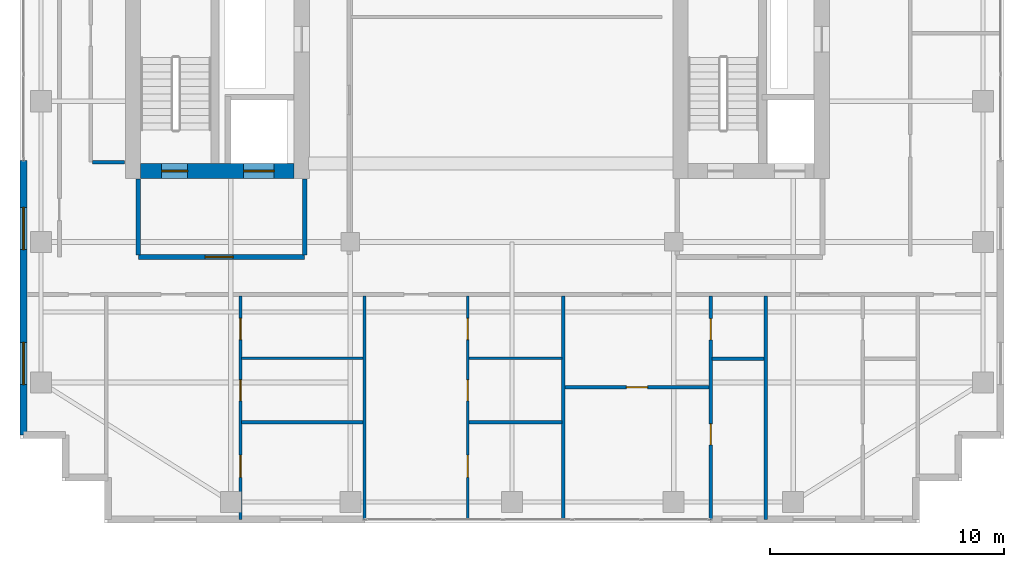
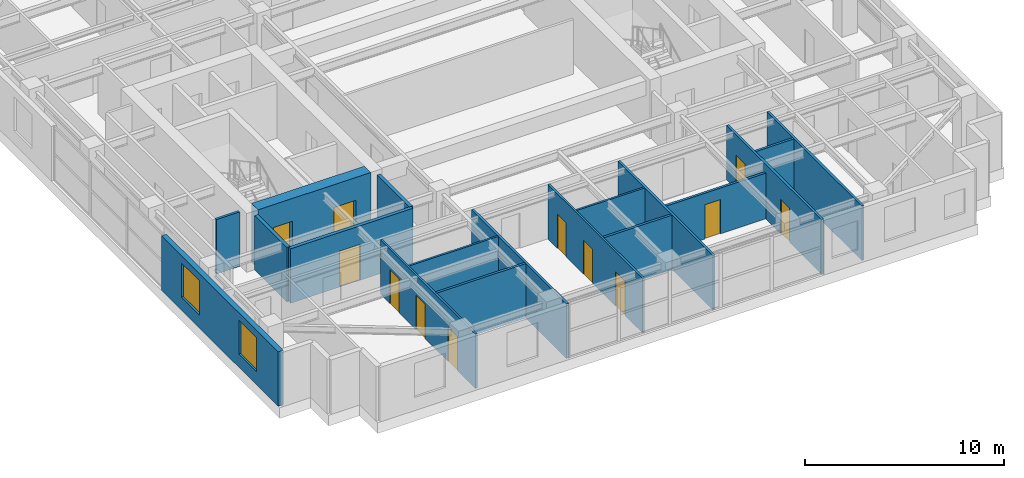
# One storey, part 19 of 24: 18 walls, 12 doors, 2 windows, 14 openings.
"""IFC4 building model written with IfcOpenShell, lengths in metres."""

from ifc_helpers import new_model, si_unit, direction, frame, frame_2d, origin, place, context, subcontext, project, spatial, rectangle, extrude, source, transform, mapped, material, layer, layer_set, type_object, element, fill, save


model = new_model("IFC4")

# Units and contexts
model_context = context("Model", 3, precision=1e-05, world=origin(), true_north=direction((0.0, 1.0)))
body_context = subcontext(model_context, "Body", "Model", "MODEL_VIEW")
ifc_project = project(units=[si_unit("LENGTHUNIT", "METRE"), si_unit("AREAUNIT", "SQUARE_METRE"), si_unit("VOLUMEUNIT", "CUBIC_METRE"), si_unit("PLANEANGLEUNIT", "RADIAN"), si_unit("MASSUNIT", "GRAM", prefix="KILO")], contexts=[model_context])

# Site, building, storey
site_placement = place(None, origin())
site = spatial("IfcSite", under=ifc_project, at=site_placement, CompositionType="ELEMENT")
building_placement = place(site_placement, origin())
building = spatial("IfcBuilding", under=site, at=building_placement, Name="Khoralis Quay Care Tower", CompositionType="ELEMENT")
storey_placement = place(building_placement, frame((0.0, 0.0, 155.699951171875)))
storey = spatial("IfcBuildingStorey", under=building, at=storey_placement, Name="L40", CompositionType="ELEMENT", Elevation=155.699951171875)

# Wall, opening, door
ifc_material_1 = material(Name="Gypsum plasterboard on acoustic metal stud")
ifc_layer_1 = layer(ifc_material_1, 0.199951171875)
ifc_layer_set_1 = layer_set([ifc_layer_1], Name="Gypsum plasterboard on acoustic metal stud")
wall_type_1 = type_object("IfcWallType", Name="WL-COMP-200", PredefinedType="PARTITIONING", material=ifc_layer_set_1)
wall_1_placement = place(storey_placement, frame((8.050048828125, 11.35009765625, 0.0), z_axis=(0.0, 0.0, 1.0), x_axis=(1.0, 0.0, 0.0)))
wall_1 = element("IfcWall", 1, at=wall_1_placement, inside=storey, type_object=wall_type_1, Name="L40 West Firefighting Lobby South Wall", PredefinedType="PARTITIONING", context=body_context, shape_type="SweptSolid", body=[
    extrude(rectangle(XDim=7.099853515625, YDim=0.199951171875, at=frame_2d((3.5498046875, 0.0))), origin(), (0.0, 0.0, 1.0), 3.340087890625),
])
opening_1_placement = place(wall_1_placement, frame((2.846435546875, 0.0, 0.0)))
opening_1 = element("IfcOpeningElement", 2, at=opening_1_placement, cuts=wall_1, Name="Opening FD1", PredefinedType="OPENING", context=body_context, shape_type="SweptSolid", body=[
    extrude(rectangle(XDim=1.199951171875, YDim=2.199951171875, at=frame_2d((0.60009765625, 1.10009765625))), frame((0.0, 0.10986328125, 0.0), z_axis=(0.0, -1.0, 0.0), x_axis=(1.0, 0.0, 0.0)), (0.0, 0.0, 1.0), 0.219970703125),
])
ifc_material_2 = material(Name="Fire-rated painted steel", Category="steel")
door_type_1 = type_object("IfcDoorType", Name="DR-FFL-1200X2200", OperationType="NOTDEFINED", PredefinedType="DOOR", material=ifc_material_2)
shared_shape_1 = source(origin(), body_context, "Body", "SweptSolid", [
    extrude(rectangle(XDim=1.199951171875, YDim=2.199951171875, at=frame_2d((0.60009765625, 1.10009765625))), frame((0.0, 0.02490234375, 0.0), z_axis=(0.0, -1.0, 0.0), x_axis=(1.0, 0.0, 0.0)), (0.0, 0.0, 1.0), 0.050048828125),
])
door_1_placement = place(opening_1_placement, origin())
door_1 = element("IfcDoor", 3, at=door_1_placement, inside=storey, type_object=door_type_1, Name="L40 West Firefighting Lobby Fire Door", OperationType="SINGLE_SWING_RIGHT", OverallHeight=2.199951171875, OverallWidth=1.199951171875, PredefinedType="DOOR", context=body_context, shape_type="MappedRepresentation", body=[
    mapped(shared_shape_1, transform((0.0, 0.0, 0.0), scale=1.0)),
])
fill(opening_1, door_1)

# Walls
for number, where, z_axis, x_axis, name in (
    (4, (8.050048828125, 11.445068359375, 0.0), (0.0, 0.0, 1.0), (0.0, 1.0, 0.0), "L40 West Firefighting Lobby West Wall"),
    (5, (15.14990234375, 11.445068359375, 0.0), (0.0, 0.0, 1.0), (0.0, 1.0, 0.0), "L40 West Firefighting Lobby East Wall"),
):
    element("IfcWall", number, at=place(storey_placement, frame(where, z_axis=z_axis, x_axis=x_axis)), inside=storey, type_object=wall_type_1, Name=name, PredefinedType="PARTITIONING", context=body_context, shape_type="SweptSolid", body=[
        extrude(rectangle(XDim=3.23486328125, YDim=0.199951171875, at=frame_2d((1.617431640625, 0.0))), origin(), (0.0, 0.0, 1.0), 3.340087890625),
    ])

# Wall, openings, doors
ifc_material_3 = material(Name="Concrete C65/80", Category="concrete")
ifc_layer_2 = layer(ifc_material_3, 0.64990234375)
ifc_layer_set_2 = layer_set([ifc_layer_2], Name="Concrete C65/80")
wall_type_2 = type_object("IfcWallType", Name="WL-CORE-650", PredefinedType="SHEAR", material=ifc_layer_set_2)
wall_2_placement = place(storey_placement, frame((8.14990234375, 15.02490234375, 0.0), z_axis=(0.0, 0.0, 1.0), x_axis=(1.0, 0.0, 0.0)))
wall_2 = element("IfcWall", 6, at=wall_2_placement, inside=storey, type_object=wall_type_2, Name="L40 WCORE South Shear Wall", PredefinedType="SHEAR", context=body_context, shape_type="SweptSolid", body=[
    extrude(rectangle(XDim=6.550048828125, YDim=0.64990234375, at=frame_2d((3.27490234375, 0.0))), origin(), (0.0, 0.0, 1.0), 3.60009765625),
])
opening_2_placement = place(wall_2_placement, frame((0.89990234375, 0.0, 0.0)))
opening_2 = element("IfcOpeningElement", 7, at=opening_2_placement, cuts=wall_2, Name="Opening SD1", PredefinedType="OPENING", context=body_context, shape_type="SweptSolid", body=[
    extrude(rectangle(XDim=1.10009765625, YDim=2.199951171875, at=frame_2d((0.550048828125, 1.10009765625))), frame((0.0, 0.3349609375, 0.0), z_axis=(0.0, -1.0, 0.0), x_axis=(1.0, 0.0, 0.0)), (0.0, 0.0, 1.0), 0.669921875),
])
opening_3_placement = place(wall_2_placement, frame((4.39990234375, 0.0, 0.0)))
opening_3 = element("IfcOpeningElement", 8, at=opening_3_placement, cuts=wall_2, Name="Opening LD2", PredefinedType="OPENING", context=body_context, shape_type="SweptSolid", body=[
    extrude(rectangle(XDim=1.300048828125, YDim=2.199951171875, at=frame_2d((0.64990234375, 1.10009765625))), frame((0.0, 0.3349609375, 0.0), z_axis=(0.0, -1.0, 0.0), x_axis=(1.0, 0.0, 0.0)), (0.0, 0.0, 1.0), 0.669921875),
])
door_type_2 = type_object("IfcDoorType", Name="DR-STAIR-1100X2200", OperationType="NOTDEFINED", PredefinedType="DOOR", material=ifc_material_2)
shared_shape_2 = source(origin(), body_context, "Body", "SweptSolid", [
    extrude(rectangle(XDim=1.10009765625, YDim=2.199951171875, at=frame_2d((0.550048828125, 1.10009765625))), frame((0.0, 0.02490234375, 0.0), z_axis=(0.0, -1.0, 0.0), x_axis=(1.0, 0.0, 0.0)), (0.0, 0.0, 1.0), 0.050048828125),
])
door_2_placement = place(opening_2_placement, origin())
door_2 = element("IfcDoor", 9, at=door_2_placement, inside=storey, type_object=door_type_2, Name="L40 Stair ST-T1 Fire Door", OperationType="SINGLE_SWING_RIGHT", OverallHeight=2.199951171875, OverallWidth=1.10009765625, PredefinedType="DOOR", context=body_context, shape_type="MappedRepresentation", body=[
    mapped(shared_shape_2, transform((0.0, 0.0, 0.0), scale=1.0)),
])
fill(opening_2, door_2)
ifc_material_4 = material(Name="Brushed stainless steel", Category="steel")
door_type_3 = type_object("IfcDoorType", Name="DR-LIFT-1300X2200", OperationType="SLIDING_TO_RIGHT", PredefinedType="DOOR", material=ifc_material_4)
shared_shape_3 = source(origin(), body_context, "Body", "SweptSolid", [
    extrude(rectangle(XDim=1.300048828125, YDim=2.199951171875, at=frame_2d((0.64990234375, 1.10009765625))), frame((0.0, 0.02490234375, 0.0), z_axis=(0.0, -1.0, 0.0), x_axis=(1.0, 0.0, 0.0)), (0.0, 0.0, 1.0), 0.050048828125),
])
door_3_placement = place(opening_3_placement, origin())
door_3 = element("IfcDoor", 10, at=door_3_placement, inside=storey, type_object=door_type_3, Name="L40 Firefighting Lift FFL-1 Landing Door", OperationType="SLIDING_TO_RIGHT", OverallHeight=2.199951171875, OverallWidth=1.300048828125, PredefinedType="DOOR", context=body_context, shape_type="MappedRepresentation", body=[
    mapped(shared_shape_3, transform((0.0, 0.0, 0.0), scale=1.0)),
])
fill(opening_3, door_3)

# Wall, openings, windows
ifc_material_5 = material(Name="Precast concrete C45/55", Category="concrete")
ifc_layer_3 = layer(ifc_material_5, 0.300048828125)
ifc_layer_set_3 = layer_set([ifc_layer_3], Name="Precast concrete C45/55")
wall_type_3 = type_object("IfcWallType", Name="WL-EXT-REF-300", PredefinedType="SOLIDWALL", material=ifc_layer_set_3)
wall_3_placement = place(storey_placement, frame((3.14990234375, 15.47998046875, 0.0), z_axis=(0.0, 0.0, 1.0), x_axis=(0.0, -1.0, 0.0)))
wall_3 = element("IfcWall", 11, at=wall_3_placement, inside=storey, type_object=wall_type_3, Name="L40 External Facade Wall WL-EXT-L40-P1-E15B", PredefinedType="SOLIDWALL", context=body_context, shape_type="SweptSolid", body=[
    extrude(rectangle(XDim=11.72998046875, YDim=0.300048828125, at=frame_2d((5.864990234375, 0.0))), origin(), (0.0, 0.0, 1.0), 3.340087890625),
])
opening_4_placement = place(wall_3_placement, frame((2.010009765625, 0.0, 0.800048828125)))
opening_4 = element("IfcOpeningElement", 12, at=opening_4_placement, cuts=wall_3, Name="Opening W2", PredefinedType="OPENING", context=body_context, shape_type="SweptSolid", body=[
    extrude(rectangle(XDim=1.800048828125, YDim=2.10009765625, at=frame_2d((0.89990234375, 1.050048828125))), frame((0.0, 0.16015625, 0.0), z_axis=(0.0, -1.0, 0.0), x_axis=(1.0, 0.0, 0.0)), (0.0, 0.0, 1.0), 0.320068359375),
])
opening_5_placement = place(wall_3_placement, frame((7.77490234375, 0.0, 0.800048828125)))
opening_5 = element("IfcOpeningElement", 13, at=opening_5_placement, cuts=wall_3, Name="Opening W2", PredefinedType="OPENING", context=body_context, shape_type="SweptSolid", body=[
    extrude(rectangle(XDim=1.800048828125, YDim=2.10009765625, at=frame_2d((0.89990234375, 1.050048828125))), frame((0.0, 0.16015625, 0.0), z_axis=(0.0, -1.0, 0.0), x_axis=(1.0, 0.0, 0.0)), (0.0, 0.0, 1.0), 0.320068359375),
])
ifc_material_6 = material(Name="Low-E solar-control double glazing", Category="glass")
window_type = type_object("IfcWindowType", Name="WN-POD-1800X2100", PartitioningType="SINGLE_PANEL", PredefinedType="WINDOW", material=ifc_material_6)
shared_shape_4 = source(origin(), body_context, "Body", "SweptSolid", [
    extrude(rectangle(XDim=1.800048828125, YDim=2.10009765625, at=frame_2d((0.89990234375, 1.050048828125))), frame((0.0, 0.030029296875, 0.0), z_axis=(0.0, -1.0, 0.0), x_axis=(1.0, 0.0, 0.0)), (0.0, 0.0, 1.0), 0.06005859375),
])
window_1_placement = place(opening_4_placement, origin())
window_1 = element("IfcWindow", 14, at=window_1_placement, inside=storey, type_object=window_type, Name="WN-L40-P1-E15B Facade Window 01", OverallHeight=2.10009765625, OverallWidth=1.800048828125, PartitioningType="SINGLE_PANEL", PredefinedType="WINDOW", context=body_context, shape_type="MappedRepresentation", body=[
    mapped(shared_shape_4, transform((0.0, 0.0, 0.0), scale=1.0)),
])
fill(opening_4, window_1)
window_2_placement = place(opening_5_placement, origin())
window_2 = element("IfcWindow", 15, at=window_2_placement, inside=storey, type_object=window_type, Name="WN-L40-P1-E15B Facade Window 02", OverallHeight=2.10009765625, OverallWidth=1.800048828125, PartitioningType="SINGLE_PANEL", PredefinedType="WINDOW", context=body_context, shape_type="MappedRepresentation", body=[
    mapped(shared_shape_4, transform((0.0, 0.0, 0.0), scale=1.0)),
])
fill(opening_5, window_2)

# Wall, openings, doors
ifc_layer_4 = layer(ifc_material_1, 0.114990234375)
ifc_layer_set_4 = layer_set([ifc_layer_4], Name="Gypsum plasterboard on acoustic metal stud")
wall_type_4 = type_object("IfcWallType", Name="WL-PART-115", PredefinedType="PARTITIONING", material=ifc_layer_set_4)
wall_4_placement = place(storey_placement, frame((12.409912109375, 0.14501953125, 0.0), z_axis=(0.0, 0.0, 1.0), x_axis=(0.0, 1.0, 0.0)))
wall_4 = element("IfcWall", 16, at=wall_4_placement, inside=storey, type_object=wall_type_4, Name="L40 Unit 0 Internal Wall", PredefinedType="PARTITIONING", context=body_context, shape_type="SweptSolid", body=[
    extrude(rectangle(XDim=9.53759765625, YDim=0.114990234375, at=frame_2d((4.768798828125, 0.0))), origin(), (0.0, 0.0, 1.0), 3.340087890625),
])
opening_6_placement = place(wall_4_placement, frame((1.802001953125, 0.0, 0.0)))
opening_6 = element("IfcOpeningElement", 17, at=opening_6_placement, cuts=wall_4, Name="Opening ID1", PredefinedType="OPENING", context=body_context, shape_type="SweptSolid", body=[
    extrude(rectangle(XDim=0.949951171875, YDim=2.10009765625, at=frame_2d((0.47509765625, 1.050048828125))), frame((0.0, 0.0673828125, 0.0), z_axis=(0.0, -1.0, 0.0), x_axis=(1.0, 0.0, 0.0)), (0.0, 0.0, 1.0), 0.135009765625),
])
opening_7_placement = place(wall_4_placement, frame((5.0654296875, 0.0, 0.0)))
opening_7 = element("IfcOpeningElement", 18, at=opening_7_placement, cuts=wall_4, Name="Opening WD1", PredefinedType="OPENING", context=body_context, shape_type="SweptSolid", body=[
    extrude(rectangle(XDim=0.89990234375, YDim=2.10009765625, at=frame_2d((0.449951171875, 1.050048828125))), frame((0.0, 0.0673828125, 0.0), z_axis=(0.0, -1.0, 0.0), x_axis=(1.0, 0.0, 0.0)), (0.0, 0.0, 1.0), 0.135009765625),
])
opening_8_placement = place(wall_4_placement, frame((7.68359375, 0.0, 0.0)))
opening_8 = element("IfcOpeningElement", 19, at=opening_8_placement, cuts=wall_4, Name="Opening WD1", PredefinedType="OPENING", context=body_context, shape_type="SweptSolid", body=[
    extrude(rectangle(XDim=0.89990234375, YDim=2.10009765625, at=frame_2d((0.449951171875, 1.050048828125))), frame((0.0, 0.0673828125, 0.0), z_axis=(0.0, -1.0, 0.0), x_axis=(1.0, 0.0, 0.0)), (0.0, 0.0, 1.0), 0.135009765625),
])
ifc_material_7 = material(Name="Acoustic hardwood timber", Category="wood")
door_type_4 = type_object("IfcDoorType", Name="DR-BATH-900X2100", OperationType="NOTDEFINED", PredefinedType="DOOR", material=ifc_material_7)
shared_shape_5 = source(origin(), body_context, "Body", "SweptSolid", [
    extrude(rectangle(XDim=0.89990234375, YDim=2.10009765625, at=frame_2d((0.449951171875, 1.050048828125))), frame((0.0, 0.02490234375, 0.0), z_axis=(0.0, -1.0, 0.0), x_axis=(1.0, 0.0, 0.0)), (0.0, 0.0, 1.0), 0.050048828125),
])
door_4_placement = place(opening_7_placement, frame((0.89990234375, 0.0, 0.0), z_axis=(0.0, 0.0, 1.0), x_axis=(-1.0, 0.0, 0.0)))
door_4 = element("IfcDoor", 20, at=door_4_placement, inside=storey, type_object=door_type_4, Name="L40 Apartment SB0 KIT Door", OperationType="SINGLE_SWING_RIGHT", OverallHeight=2.10009765625, OverallWidth=0.89990234375, PredefinedType="DOOR", context=body_context, shape_type="MappedRepresentation", body=[
    mapped(shared_shape_5, transform((0.0, 0.0, 0.0), scale=1.0)),
])
fill(opening_7, door_4)
door_5_placement = place(opening_8_placement, frame((0.89990234375, 0.0, 0.0), z_axis=(0.0, 0.0, 1.0), x_axis=(-1.0, 0.0, 0.0)))
door_5 = element("IfcDoor", 21, at=door_5_placement, inside=storey, type_object=door_type_4, Name="L40 Apartment SB0 BTH Door", OperationType="SINGLE_SWING_LEFT", OverallHeight=2.10009765625, OverallWidth=0.89990234375, PredefinedType="DOOR", context=body_context, shape_type="MappedRepresentation", body=[
    mapped(shared_shape_5, transform((0.0, 0.0, 0.0), scale=1.0)),
])
fill(opening_8, door_5)
door_type_5 = type_object("IfcDoorType", Name="DR-ROOM-950X2100", OperationType="NOTDEFINED", PredefinedType="DOOR", material=ifc_material_7)
shared_shape_6 = source(origin(), body_context, "Body", "SweptSolid", [
    extrude(rectangle(XDim=0.949951171875, YDim=2.10009765625, at=frame_2d((0.47509765625, 1.050048828125))), frame((0.0, 0.02490234375, 0.0), z_axis=(0.0, -1.0, 0.0), x_axis=(1.0, 0.0, 0.0)), (0.0, 0.0, 1.0), 0.050048828125),
])
door_6_placement = place(opening_6_placement, frame((0.949951171875, 0.0, 0.0), z_axis=(0.0, 0.0, 1.0), x_axis=(-1.0, 0.0, 0.0)))
door_6 = element("IfcDoor", 22, at=door_6_placement, inside=storey, type_object=door_type_5, Name="L40 Apartment SB0 BED Door", OperationType="SINGLE_SWING_LEFT", OverallHeight=2.10009765625, OverallWidth=0.949951171875, PredefinedType="DOOR", context=body_context, shape_type="MappedRepresentation", body=[
    mapped(shared_shape_6, transform((0.0, 0.0, 0.0), scale=1.0)),
])
fill(opening_6, door_6)

# Wall
wall_5_placement = place(storey_placement, frame((12.46240234375, 7.027099609375, 0.0), z_axis=(0.0, 0.0, 1.0), x_axis=(1.0, 0.0, 0.0)))
element("IfcWall", 23, at=wall_5_placement, inside=storey, type_object=wall_type_4, Name="L40 Unit 0 Kitchen Wall", PredefinedType="PARTITIONING", context=body_context, shape_type="SweptSolid", body=[
    extrude(rectangle(XDim=5.172607421875, YDim=0.114990234375, at=frame_2d((2.58642578125, 0.0))), origin(), (0.0, 0.0, 1.0), 3.340087890625),
])

# Wall, openings, doors
wall_6_placement = place(storey_placement, frame((22.114990234375, 0.14501953125, 0.0), z_axis=(0.0, 0.0, 1.0), x_axis=(0.0, 1.0, 0.0)))
wall_6 = element("IfcWall", 24, at=wall_6_placement, inside=storey, type_object=wall_type_4, Name="L40 Unit 1 Internal Wall", PredefinedType="PARTITIONING", context=body_context, shape_type="SweptSolid", body=[
    extrude(rectangle(XDim=9.53759765625, YDim=0.114990234375, at=frame_2d((4.768798828125, 0.0))), origin(), (0.0, 0.0, 1.0), 3.340087890625),
])
opening_9_placement = place(wall_6_placement, frame((1.802001953125, 0.0, 0.0)))
opening_9 = element("IfcOpeningElement", 25, at=opening_9_placement, cuts=wall_6, Name="Opening ID1", PredefinedType="OPENING", context=body_context, shape_type="SweptSolid", body=[
    extrude(rectangle(XDim=0.949951171875, YDim=2.10009765625, at=frame_2d((0.47509765625, 1.050048828125))), frame((0.0, 0.0673828125, 0.0), z_axis=(0.0, -1.0, 0.0), x_axis=(1.0, 0.0, 0.0)), (0.0, 0.0, 1.0), 0.135009765625),
])
opening_10_placement = place(wall_6_placement, frame((5.0654296875, 0.0, 0.0)))
opening_10 = element("IfcOpeningElement", 26, at=opening_10_placement, cuts=wall_6, Name="Opening WD1", PredefinedType="OPENING", context=body_context, shape_type="SweptSolid", body=[
    extrude(rectangle(XDim=0.89990234375, YDim=2.10009765625, at=frame_2d((0.449951171875, 1.050048828125))), frame((0.0, 0.0673828125, 0.0), z_axis=(0.0, -1.0, 0.0), x_axis=(1.0, 0.0, 0.0)), (0.0, 0.0, 1.0), 0.135009765625),
])
opening_11_placement = place(wall_6_placement, frame((7.68359375, 0.0, 0.0)))
opening_11 = element("IfcOpeningElement", 27, at=opening_11_placement, cuts=wall_6, Name="Opening WD1", PredefinedType="OPENING", context=body_context, shape_type="SweptSolid", body=[
    extrude(rectangle(XDim=0.89990234375, YDim=2.10009765625, at=frame_2d((0.449951171875, 1.050048828125))), frame((0.0, 0.0673828125, 0.0), z_axis=(0.0, -1.0, 0.0), x_axis=(1.0, 0.0, 0.0)), (0.0, 0.0, 1.0), 0.135009765625),
])
door_7_placement = place(opening_10_placement, frame((0.89990234375, 0.0, 0.0), z_axis=(0.0, 0.0, 1.0), x_axis=(-1.0, 0.0, 0.0)))
door_7 = element("IfcDoor", 28, at=door_7_placement, inside=storey, type_object=door_type_4, Name="L40 Apartment SB1 KIT Door", OperationType="SINGLE_SWING_LEFT", OverallHeight=2.10009765625, OverallWidth=0.89990234375, PredefinedType="DOOR", context=body_context, shape_type="MappedRepresentation", body=[
    mapped(shared_shape_5, transform((0.0, 0.0, 0.0), scale=1.0)),
])
fill(opening_10, door_7)
door_8_placement = place(opening_11_placement, frame((0.89990234375, 0.0, 0.0), z_axis=(0.0, 0.0, 1.0), x_axis=(-1.0, 0.0, 0.0)))
door_8 = element("IfcDoor", 29, at=door_8_placement, inside=storey, type_object=door_type_4, Name="L40 Apartment SB1 BTH Door", OperationType="SINGLE_SWING_RIGHT", OverallHeight=2.10009765625, OverallWidth=0.89990234375, PredefinedType="DOOR", context=body_context, shape_type="MappedRepresentation", body=[
    mapped(shared_shape_5, transform((0.0, 0.0, 0.0), scale=1.0)),
])
fill(opening_11, door_8)
door_9_placement = place(opening_9_placement, frame((0.949951171875, 0.0, 0.0), z_axis=(0.0, 0.0, 1.0), x_axis=(-1.0, 0.0, 0.0)))
door_9 = element("IfcDoor", 30, at=door_9_placement, inside=storey, type_object=door_type_5, Name="L40 Apartment SB1 BED Door", OperationType="SINGLE_SWING_RIGHT", OverallHeight=2.10009765625, OverallWidth=0.949951171875, PredefinedType="DOOR", context=body_context, shape_type="MappedRepresentation", body=[
    mapped(shared_shape_6, transform((0.0, 0.0, 0.0), scale=1.0)),
])
fill(opening_9, door_9)

# Walls
wall_7_placement = place(storey_placement, frame((22.16748046875, 7.027099609375, 0.0), z_axis=(0.0, 0.0, 1.0), x_axis=(1.0, 0.0, 0.0)))
element("IfcWall", 31, at=wall_7_placement, inside=storey, type_object=wall_type_4, Name="L40 Unit 1 Kitchen Wall", PredefinedType="PARTITIONING", context=body_context, shape_type="SweptSolid", body=[
    extrude(rectangle(XDim=3.95751953125, YDim=0.114990234375, at=frame_2d((1.978759765625, 0.0))), origin(), (0.0, 0.0, 1.0), 3.340087890625),
])
ifc_material_8 = material(Name="Moisture-resistant gypsum and ceramic tile")
ifc_layer_5 = layer(ifc_material_8, 0.280029296875)
ifc_layer_set_5 = layer_set([ifc_layer_5], Name="Moisture-resistant gypsum and ceramic tile")
wall_type_5 = type_object("IfcWallType", Name="WL-PLUMB-280", PredefinedType="PLUMBINGWALL", material=ifc_layer_set_5)
wall_8_placement = place(storey_placement, frame((12.46240234375, 4.2939453125, 0.0), z_axis=(0.0, 0.0, 1.0), x_axis=(1.0, 0.0, 0.0)))
element("IfcWall", 32, at=wall_8_placement, inside=storey, type_object=wall_type_5, Name="L40 Unit 0 Wet Wall", PredefinedType="PLUMBINGWALL", context=body_context, shape_type="SweptSolid", body=[
    extrude(rectangle(XDim=5.172607421875, YDim=0.139892578125, at=frame_2d((2.58642578125, 0.0))), origin(), (0.0, 0.0, 1.0), 3.340087890625),
])
wall_9_placement = place(storey_placement, frame((22.16748046875, 4.2939453125, 0.0), z_axis=(0.0, 0.0, 1.0), x_axis=(1.0, 0.0, 0.0)))
element("IfcWall", 33, at=wall_9_placement, inside=storey, type_object=wall_type_5, Name="L40 Unit 1 Wet Wall", PredefinedType="PLUMBINGWALL", context=body_context, shape_type="SweptSolid", body=[
    extrude(rectangle(XDim=3.95751953125, YDim=0.139892578125, at=frame_2d((1.978759765625, 0.0))), origin(), (0.0, 0.0, 1.0), 3.340087890625),
])

# Wall, openings, doors
wall_10_placement = place(storey_placement, frame((32.47998046875, 0.14501953125, 0.0), z_axis=(0.0, 0.0, 1.0), x_axis=(0.0, 1.0, 0.0)))
wall_10 = element("IfcWall", 34, at=wall_10_placement, inside=storey, type_object=wall_type_5, Name="L40 Care Suite 2 En-Suite Wall V", PredefinedType="PLUMBINGWALL", context=body_context, shape_type="SweptSolid", body=[
    extrude(rectangle(XDim=9.53759765625, YDim=0.139892578125, at=frame_2d((4.768798828125, 0.0))), origin(), (0.0, 0.0, 1.0), 3.340087890625),
])
opening_12_placement = place(wall_10_placement, frame((7.675048828125, 0.0, 0.0)))
opening_12 = element("IfcOpeningElement", 35, at=opening_12_placement, cuts=wall_10, Name="Opening WD1", PredefinedType="OPENING", context=body_context, shape_type="SweptSolid", body=[
    extrude(rectangle(XDim=0.89990234375, YDim=2.10009765625, at=frame_2d((0.449951171875, 1.050048828125))), frame((0.0, 0.080078125, 0.0), z_axis=(0.0, -1.0, 0.0), x_axis=(1.0, 0.0, 0.0)), (0.0, 0.0, 1.0), 0.159912109375),
])
opening_13_placement = place(wall_10_placement, frame((3.18505859375, 0.0, 0.0)))
opening_13 = element("IfcOpeningElement", 36, at=opening_13_placement, cuts=wall_10, Name="Opening WD1", PredefinedType="OPENING", context=body_context, shape_type="SweptSolid", body=[
    extrude(rectangle(XDim=0.89990234375, YDim=2.10009765625, at=frame_2d((0.449951171875, 1.050048828125))), frame((0.0, 0.080078125, 0.0), z_axis=(0.0, -1.0, 0.0), x_axis=(1.0, 0.0, 0.0)), (0.0, 0.0, 1.0), 0.159912109375),
])
door_10_placement = place(opening_12_placement, frame((0.89990234375, 0.0, 0.0), z_axis=(0.0, 0.0, 1.0), x_axis=(-1.0, 0.0, 0.0)))
door_10 = element("IfcDoor", 37, at=door_10_placement, inside=storey, type_object=door_type_4, Name="L40 Care CENS Door", OperationType="SINGLE_SWING_LEFT", OverallHeight=2.10009765625, OverallWidth=0.89990234375, PredefinedType="DOOR", context=body_context, shape_type="MappedRepresentation", body=[
    mapped(shared_shape_5, transform((0.0, 0.0, 0.0), scale=1.0)),
])
fill(opening_12, door_10)
door_11_placement = place(opening_13_placement, frame((0.89990234375, 0.0, 0.0), z_axis=(0.0, 0.0, 1.0), x_axis=(-1.0, 0.0, 0.0)))
door_11 = element("IfcDoor", 38, at=door_11_placement, inside=storey, type_object=door_type_4, Name="L40 Care CSIT Door", OperationType="SINGLE_SWING_RIGHT", OverallHeight=2.10009765625, OverallWidth=0.89990234375, PredefinedType="DOOR", context=body_context, shape_type="MappedRepresentation", body=[
    mapped(shared_shape_5, transform((0.0, 0.0, 0.0), scale=1.0)),
])
fill(opening_13, door_11)

# Walls
wall_11_placement = place(storey_placement, frame((32.544921875, 7.010009765625, 0.0), z_axis=(0.0, 0.0, 1.0), x_axis=(1.0, 0.0, 0.0)))
element("IfcWall", 39, at=wall_11_placement, inside=storey, type_object=wall_type_5, Name="L40 Care Suite 2 En-Suite Wall H", PredefinedType="PLUMBINGWALL", context=body_context, shape_type="SweptSolid", body=[
    extrude(rectangle(XDim=2.219970703125, YDim=0.139892578125, at=frame_2d((1.10986328125, 0.0))), origin(), (0.0, 0.0, 1.0), 3.340087890625),
])
ifc_layer_6 = layer(ifc_material_1, 0.139892578125)
ifc_layer_set_6 = layer_set([ifc_layer_6], Name="Gypsum plasterboard on acoustic metal stud")
wall_type_6 = type_object("IfcWallType", Name="WL-UNIT-140", PredefinedType="PARTITIONING", material=ifc_layer_set_6)
wall_12_placement = place(storey_placement, frame((6.097412109375, 15.39990234375, 0.0), z_axis=(0.0, 0.0, 1.0), x_axis=(1.0, 0.0, 0.0)))
element("IfcWall", 40, at=wall_12_placement, inside=storey, type_object=wall_type_6, Name="L40 West Flank South Cap", PredefinedType="PARTITIONING", context=body_context, shape_type="SweptSolid", body=[
    extrude(rectangle(XDim=1.362548828125, YDim=0.139892578125, at=frame_2d((0.68115234375, 0.0))), origin(), (0.0, 0.0, 1.0), 3.340087890625),
])
for number, where, z_axis, x_axis, name in (
    (41, (17.699951171875, 0.14501953125, 0.0), (0.0, 0.0, 1.0), (0.0, 1.0, 0.0), "L40 SB Demising Wall 1"),
    (42, (26.18994140625, 0.14501953125, 0.0), (0.0, 0.0, 1.0), (0.0, 1.0, 0.0), "L40 SB Demising Wall 2"),
    (43, (34.830078125, 0.14501953125, 0.0), (0.0, 0.0, 1.0), (0.0, 1.0, 0.0), "L40 SB Demising Wall 3"),
):
    element("IfcWall", number, at=place(storey_placement, frame(where, z_axis=z_axis, x_axis=x_axis)), inside=storey, type_object=wall_type_6, Name=name, PredefinedType="PARTITIONING", context=body_context, shape_type="SweptSolid", body=[
        extrude(rectangle(XDim=9.53759765625, YDim=0.139892578125, at=frame_2d((4.768798828125, 0.0))), origin(), (0.0, 0.0, 1.0), 3.340087890625),
    ])

# Wall, opening, door
wall_13_placement = place(storey_placement, frame((26.2548828125, 5.7900390625, 0.0), z_axis=(0.0, 0.0, 1.0), x_axis=(1.0, 0.0, 0.0)))
wall_13 = element("IfcWall", 44, at=wall_13_placement, inside=storey, type_object=wall_type_6, Name="Skilled Care Bedroom L40-SB2 Sub-Partition", PredefinedType="PARTITIONING", context=body_context, shape_type="SweptSolid", body=[
    extrude(rectangle(XDim=6.16015625, YDim=0.139892578125, at=frame_2d((3.080078125, 0.0))), origin(), (0.0, 0.0, 1.0), 2.80712890625),
])
opening_14_placement = place(wall_13_placement, frame((2.6298828125, 0.0, 0.0)))
opening_14 = element("IfcOpeningElement", 45, at=opening_14_placement, cuts=wall_13, Name="Opening WD1", PredefinedType="OPENING", context=body_context, shape_type="SweptSolid", body=[
    extrude(rectangle(XDim=0.89990234375, YDim=2.10009765625, at=frame_2d((0.449951171875, 1.050048828125))), frame((0.0, 0.080078125, 0.0), z_axis=(0.0, -1.0, 0.0), x_axis=(1.0, 0.0, 0.0)), (0.0, 0.0, 1.0), 0.159912109375),
])
door_12_placement = place(opening_14_placement, origin())
door_12 = element("IfcDoor", 46, at=door_12_placement, inside=storey, type_object=door_type_4, Name="Private Study & Reading Alcove ARE2 Door", OperationType="SINGLE_SWING_LEFT", OverallHeight=2.10009765625, OverallWidth=0.89990234375, PredefinedType="DOOR", context=body_context, shape_type="MappedRepresentation", body=[
    mapped(shared_shape_5, transform((0.0, 0.0, 0.0), scale=1.0)),
])
fill(opening_14, door_12)

save(model, "model.ifc")
